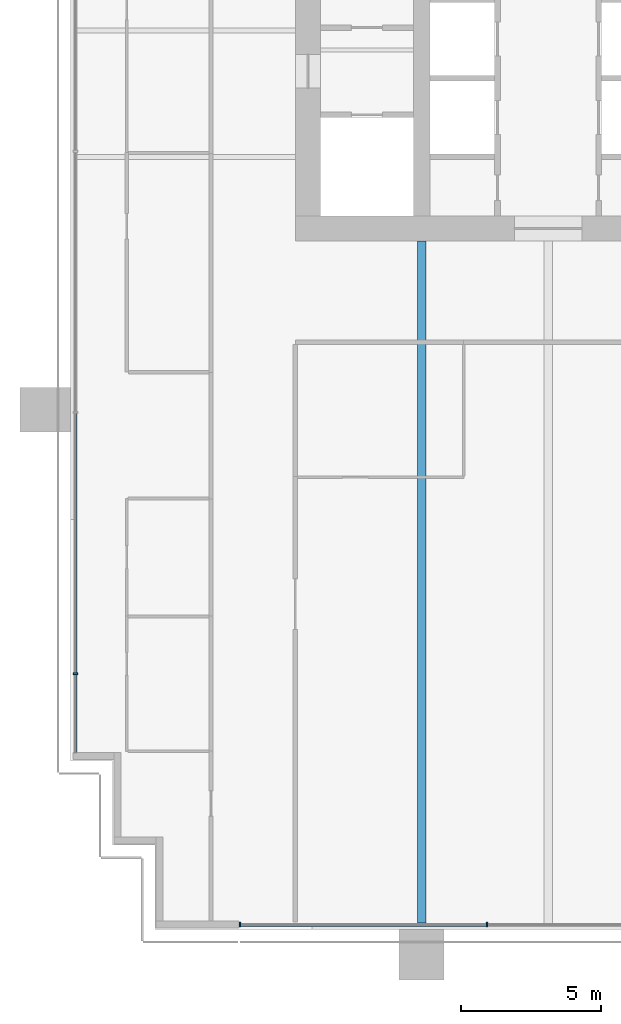
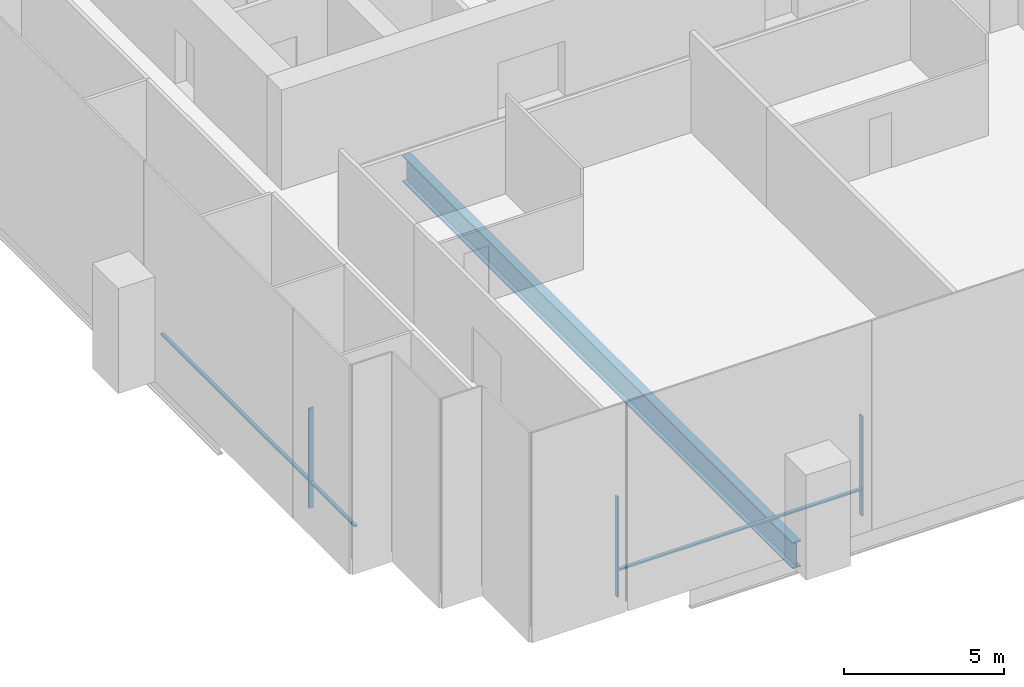
# One storey, part 2 of 19: 6 members, 1 beam, 2 elements without a shape of their own.
"""IFC4 building model written with IfcOpenShell, lengths in metres."""

from ifc_helpers import new_model, si_unit, direction, frame, origin, origin_2d, place, context, subcontext, project, spatial, rectangle, i_section, extrude, material, material_profile, profile_set, type_object, element, aggregate, save


model = new_model("IFC4")

# Units and contexts
model_context = context("Model", 3, precision=1e-05, world=origin(), true_north=direction((0.0, 1.0)))
body_context = subcontext(model_context, "Body", "Model", "MODEL_VIEW")
ifc_project = project(units=[si_unit("LENGTHUNIT", "METRE"), si_unit("AREAUNIT", "SQUARE_METRE"), si_unit("VOLUMEUNIT", "CUBIC_METRE"), si_unit("PLANEANGLEUNIT", "RADIAN"), si_unit("MASSUNIT", "GRAM", prefix="KILO")], contexts=[model_context])

# Site, building, storey
site_placement = place(None, origin())
site = spatial("IfcSite", under=ifc_project, at=site_placement, CompositionType="ELEMENT")
building_placement = place(site_placement, origin())
building = spatial("IfcBuilding", under=site, at=building_placement, Name="Rattan Terrace Tower", CompositionType="ELEMENT")
storey_placement = place(building_placement, frame((0.0, 0.0, 103.699951171875)))
storey = spatial("IfcBuildingStorey", under=building, at=storey_placement, Name="L23", CompositionType="ELEMENT", Elevation=103.699951171875)

# Curtain wall, member
ifc_material_1 = material(Name="Aluminium and glass", Category="aluminium")
curtain_wall_type = type_object("IfcCurtainWallType", Name="Facade Unitised Curtain Wall", PredefinedType="NOTDEFINED", material=ifc_material_1)
curtain_wall_1_placement = place(storey_placement, origin())
curtain_wall_1 = element("IfcCurtainWall", 1, at=curtain_wall_1_placement, inside=storey, type_object=curtain_wall_type, Name="Curtain wall L23-3", PredefinedType="NOTDEFINED")
ifc_material_2 = material(Name="Aluminium", Category="aluminium")
ifc_material_profile_1 = material_profile(ifc_material_2, rectangle(XDim=0.06005859375, YDim=0.159912109375, at=origin_2d()), Name="Aluminium 60x160")
ifc_profile_set_1 = profile_set([ifc_material_profile_1], Name="Aluminium")
member_type_1 = type_object("IfcMemberType", Name="Facade CW Mullion 60x160", PredefinedType="MULLION", material=ifc_profile_set_1)
member_1_placement = place(storey_placement, frame((-25.830078125, -22.89990234375, 0.0), z_axis=(0.0, 0.0, 1.0), x_axis=(0.0, -1.0, 0.0)))
member_1 = element("IfcMember", 2, at=member_1_placement, type_object=member_type_1, Name="Mullion cwl-L23-003.4", PredefinedType="MULLION", context=body_context, shape_type="SweptSolid", body=[
    extrude(rectangle(XDim=0.06005859375, YDim=0.159912109375, at=origin_2d()), origin(), (0.0, 0.0, 1.0), 3.800048828125),
])

# Curtain wall, members
curtain_wall_2_placement = place(storey_placement, origin())
curtain_wall_2 = element("IfcCurtainWall", 3, at=curtain_wall_2_placement, inside=storey, type_object=curtain_wall_type, Name="Curtain wall L23-4", PredefinedType="NOTDEFINED")
member_2_placement = place(storey_placement, frame((-19.969970703125, -31.830078125, 0.0), z_axis=(0.0, 0.0, 1.0), x_axis=(1.0, 0.0, 0.0)))
member_2 = element("IfcMember", 4, at=member_2_placement, type_object=member_type_1, Name="Mullion cwl-L23-004.1", PredefinedType="MULLION", context=body_context, shape_type="SweptSolid", body=[
    extrude(rectangle(XDim=0.06005859375, YDim=0.159912109375, at=origin_2d()), origin(), (0.0, 0.0, 1.0), 3.800048828125),
])
member_3_placement = place(storey_placement, frame((-11.177001953125, -31.830078125, 0.0), z_axis=(0.0, 0.0, 1.0), x_axis=(1.0, 0.0, 0.0)))
member_3 = element("IfcMember", 5, at=member_3_placement, type_object=member_type_1, Name="Mullion cwl-L23-004.2", PredefinedType="MULLION", context=body_context, shape_type="SweptSolid", body=[
    extrude(rectangle(XDim=0.06005859375, YDim=0.159912109375, at=origin_2d()), origin(), (0.0, 0.0, 1.0), 3.800048828125),
])

# Member
ifc_material_3 = material(Name="Aluminium", Category="aluminium")
ifc_material_profile_2 = material_profile(ifc_material_3, rectangle(XDim=0.1201171875, YDim=0.06005859375, at=origin_2d()), Name="Aluminium 120x60")
ifc_profile_set_2 = profile_set([ifc_material_profile_2], Name="Aluminium")
member_type_2 = type_object("IfcMemberType", Name="Facade CW Transom 120x60", PredefinedType="USERDEFINED", material=ifc_profile_set_2)
member_4_placement = place(storey_placement, frame((-25.830078125, -13.6298828125, 1.0), z_axis=(0.0, -1.0, 0.0), x_axis=(1.0, 0.0, 0.0)))
member_4 = element("IfcMember", 6, at=member_4_placement, type_object=member_type_2, Name="Transom cwl-L23-003.3", ObjectType="TRANSOM", PredefinedType="USERDEFINED", context=body_context, shape_type="SweptSolid", body=[
    extrude(rectangle(XDim=0.1201171875, YDim=0.06005859375, at=origin_2d()), origin(), (0.0, 0.0, 1.0), 9.240234375),
])

member_5_placement = place(storey_placement, frame((-25.830078125, -22.929931640625, 1.0), z_axis=(0.0, -1.0, 0.0), x_axis=(1.0, 0.0, 0.0)))
member_5 = element("IfcMember", 7, at=member_5_placement, type_object=member_type_2, Name="Transom cwl-L23-003.4", ObjectType="TRANSOM", PredefinedType="USERDEFINED", context=body_context, shape_type="SweptSolid", body=[
    extrude(rectangle(XDim=0.1201171875, YDim=0.06005859375, at=origin_2d()), origin(), (0.0, 0.0, 1.0), 2.775146484375),
])

aggregate(curtain_wall_1, [member_1, member_4, member_5])

member_6_placement = place(storey_placement, frame((-19.93994140625, -31.830078125, 1.0), z_axis=(1.0, 0.0, 0.0), x_axis=(0.0, 1.0, 0.0)))
member_6 = element("IfcMember", 8, at=member_6_placement, type_object=member_type_2, Name="Transom cwl-L23-004.1", ObjectType="TRANSOM", PredefinedType="USERDEFINED", context=body_context, shape_type="SweptSolid", body=[
    extrude(rectangle(XDim=0.1201171875, YDim=0.06005859375, at=origin_2d()), origin(), (0.0, 0.0, 1.0), 8.73291015625),
])

aggregate(curtain_wall_2, [member_2, member_3, member_6])

# Beam
ifc_material_4 = material(Name="Steel S460", Category="steel")
ifc_material_profile_3 = material_profile(ifc_material_4, i_section(OverallWidth=0.300048828125, OverallDepth=1.0, WebThickness=0.013916015625, FlangeThickness=0.0400390625, at=origin_2d()), Name="PG 1000x300-14-40")
ifc_profile_set_3 = profile_set([ifc_material_profile_3], Name="Steel S460")
beam_type = type_object("IfcBeamType", Name="Frame floor beam PG 1000x300-14-40", PredefinedType="JOIST", material=ifc_profile_set_3)
beam_placement = place(storey_placement, frame((-13.5, -31.820068359375, -0.699951171875), z_axis=(0.0, 1.0, 0.0), x_axis=(-1.0, 0.0, 0.0)))
element("IfcBeam", 9, at=beam_placement, inside=storey, type_object=beam_type, Name="bm-L23-003", PredefinedType="JOIST", context=body_context, shape_type="SweptSolid", body=[
    extrude(i_section(OverallWidth=0.300048828125, OverallDepth=1.0, WebThickness=0.013916015625, FlangeThickness=0.0400390625, at=origin_2d()), origin(), (0.0, 0.0, 1.0), 24.320068359375),
])

save(model, "model.ifc")
